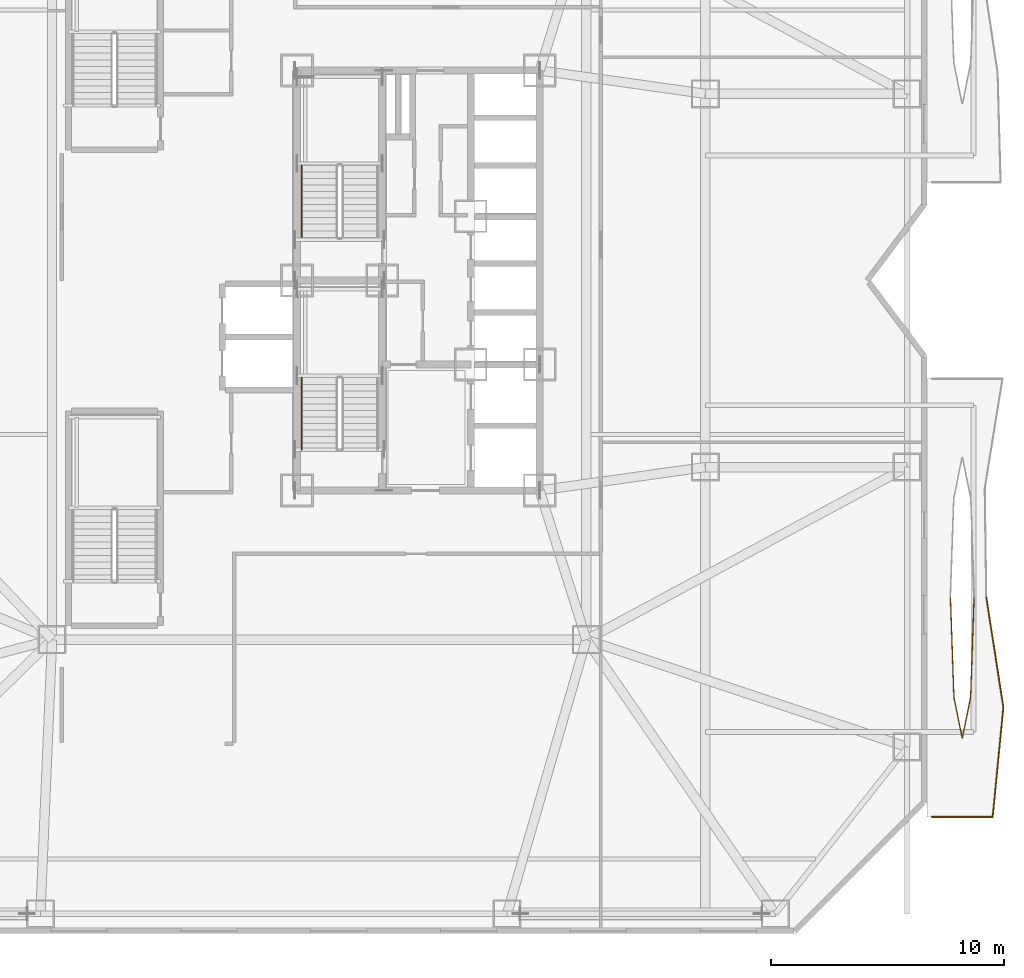
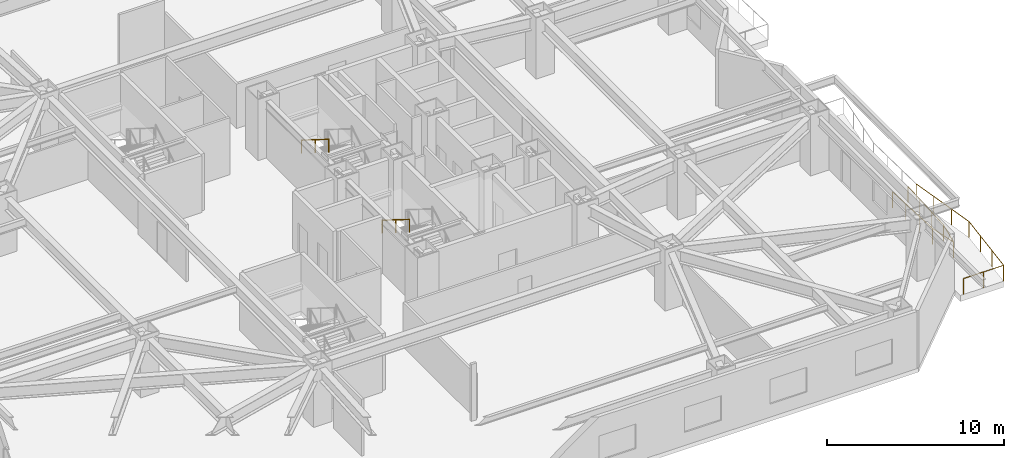
# One storey, part 21 of 25: 4 railings.
"""IFC4 building model written with IfcOpenShell, lengths in metres."""

from ifc_helpers import new_model, si_unit, direction, frame, origin, origin_2d, place, context, subcontext, project, spatial, circle, extrude, material, type_object, element, save


model = new_model("IFC4")

# Units and contexts
model_context = context("Model", 3, precision=1e-05, world=origin(), true_north=direction((0.0, 1.0)))
body_context = subcontext(model_context, "Body", "Model", "MODEL_VIEW")
ifc_project = project(units=[si_unit("LENGTHUNIT", "METRE"), si_unit("AREAUNIT", "SQUARE_METRE"), si_unit("VOLUMEUNIT", "CUBIC_METRE"), si_unit("PLANEANGLEUNIT", "RADIAN"), si_unit("MASSUNIT", "GRAM", prefix="KILO")], contexts=[model_context])

# Site, building, storey
site_placement = place(None, origin())
site = spatial("IfcSite", under=ifc_project, at=site_placement, CompositionType="ELEMENT")
building_placement = place(site_placement, origin())
building = spatial("IfcBuilding", under=site, at=building_placement, Name="Khamvora Tower", CompositionType="ELEMENT")
storey_placement = place(building_placement, frame((0.0, 0.0, 24.60009765625)))
storey = spatial("IfcBuildingStorey", under=building, at=storey_placement, Name="L05", CompositionType="ELEMENT", Elevation=24.60009765625)

# Railings
ifc_material_1 = material(Name="Stainless Steel 316 and Laminated Glass", Category="steel")
railing_type_1 = type_object("IfcRailingType", Name="RAL-GAL-1120", PredefinedType="GUARDRAIL", material=ifc_material_1)
railing_1_placement = place(storey_placement, frame((56.199951171875, 5.0, 0.0)))
element("IfcRailing", 1, at=railing_1_placement, inside=storey, type_object=railing_type_1, Name="L05 lens gallery south perimeter guardrail EL1", PredefinedType="GUARDRAIL", context=body_context, shape_type="SweptSolid", body=[
    extrude(circle(Radius=0.02392578125, at=origin_2d()), frame((0.0, 0.0, 1.09619140625), z_axis=(1.0, 0.0, 0.0), x_axis=(0.0, 1.0, 0.0)), (0.0, 0.0, 1.0), 2.6201171875),
    extrude(circle(Radius=0.02392578125, at=origin_2d()), frame((2.6201171875, 0.0, 1.09619140625), z_axis=(0.097399731226, 0.995245342796, 0.0), x_axis=(-0.995245342796, 0.097399731226, 0.0)), (0.0, 0.0, 1.0), 4.722412109375),
    extrude(circle(Radius=0.02392578125, at=origin_2d()), frame((3.080078125, 4.699951171875, 1.09619140625), z_axis=(-0.15307545832, 0.988214503061, 0.0), x_axis=(-0.988214503061, -0.15307545832, 0.0)), (0.0, 0.0, 1.0), 4.756103515625),
    extrude(circle(Radius=0.02099609375, at=origin_2d()), origin(), (0.0, 0.0, 1.0), 1.072021484375),
    extrude(circle(Radius=0.02099609375, at=origin_2d()), frame((1.31005859375, 0.0, 0.0)), (0.0, 0.0, 1.0), 1.072021484375),
    extrude(circle(Radius=0.02099609375, at=origin_2d()), frame((2.6201171875, 0.0, 0.0)), (0.0, 0.0, 1.0), 1.072021484375),
    extrude(circle(Radius=0.02099609375, at=origin_2d()), frame((2.7734375, 1.566650390625, 0.0)), (0.0, 0.0, 1.0), 1.072021484375),
    extrude(circle(Radius=0.02099609375, at=origin_2d()), frame((2.9267578125, 3.13330078125, 0.0)), (0.0, 0.0, 1.0), 1.072021484375),
    extrude(circle(Radius=0.02099609375, at=origin_2d()), frame((3.080078125, 4.699951171875, 0.0)), (0.0, 0.0, 1.0), 1.072021484375),
    extrude(circle(Radius=0.02099609375, at=origin_2d()), frame((2.83740234375, 6.2666015625, 0.0)), (0.0, 0.0, 1.0), 1.072021484375),
    extrude(circle(Radius=0.02099609375, at=origin_2d()), frame((2.5947265625, 7.833251953125, 0.0)), (0.0, 0.0, 1.0), 1.072021484375),
    extrude(circle(Radius=0.02099609375, at=origin_2d()), frame((2.35205078125, 9.39990234375, 0.0)), (0.0, 0.0, 1.0), 1.072021484375),
])
railing_2_placement = place(storey_placement, frame((57.010986328125, 14.39990234375, 0.0)))
element("IfcRailing", 2, at=railing_2_placement, inside=storey, type_object=railing_type_1, Name="L05 lens gallery void guardrail EL1B", PredefinedType="GUARDRAIL", context=body_context, shape_type="SweptSolid", body=[
    extrude(circle(Radius=0.02392578125, at=origin_2d()), frame((0.0, 0.0, 1.09619140625), z_axis=(0.034758598303, -0.999395737355, 0.0), x_axis=(0.999395737355, 0.034758598303, 0.0)), (0.0, 0.0, 1.0), 4.256591796875),
    extrude(circle(Radius=0.02392578125, at=origin_2d()), frame((0.14794921875, -4.25390625, 1.09619140625), z_axis=(0.198022438185, -0.980197487232, 0.0), x_axis=(0.980197487232, 0.198022438185, 0.0)), (0.0, 0.0, 1.0), 1.797607421875),
    extrude(circle(Radius=0.02392578125, at=origin_2d()), frame((0.50390625, -6.015869140625, 1.09619140625), z_axis=(0.198152924969, 0.98017111686, 0.0), x_axis=(-0.98017111686, 0.198152924969, 0.0)), (0.0, 0.0, 1.0), 1.797607421875),
    extrude(circle(Radius=0.02392578125, at=origin_2d()), frame((0.860107421875, -4.25390625, 1.09619140625), z_axis=(0.034758598303, 0.999395737355, 0.0), x_axis=(-0.999395737355, 0.034758598303, 0.0)), (0.0, 0.0, 1.0), 4.256591796875),
    extrude(circle(Radius=0.02099609375, at=origin_2d()), origin(), (0.0, 0.0, 1.0), 1.072021484375),
    extrude(circle(Radius=0.02099609375, at=origin_2d()), frame((0.04931640625, -1.41796875, 0.0)), (0.0, 0.0, 1.0), 1.072021484375),
    extrude(circle(Radius=0.02099609375, at=origin_2d()), frame((0.0986328125, -2.8359375, 0.0)), (0.0, 0.0, 1.0), 1.072021484375),
    extrude(circle(Radius=0.02099609375, at=origin_2d()), frame((0.14794921875, -4.25390625, 0.0)), (0.0, 0.0, 1.0), 1.072021484375),
    extrude(circle(Radius=0.02099609375, at=origin_2d()), frame((0.50390625, -6.015869140625, 0.0)), (0.0, 0.0, 1.0), 1.072021484375),
    extrude(circle(Radius=0.02099609375, at=origin_2d()), frame((0.860107421875, -4.25390625, 0.0)), (0.0, 0.0, 1.0), 1.072021484375),
    extrude(circle(Radius=0.02099609375, at=origin_2d()), frame((0.909423828125, -2.8359375, 0.0)), (0.0, 0.0, 1.0), 1.072021484375),
    extrude(circle(Radius=0.02099609375, at=origin_2d()), frame((0.958740234375, -1.41796875, 0.0)), (0.0, 0.0, 1.0), 1.072021484375),
    extrude(circle(Radius=0.02099609375, at=origin_2d()), frame((1.008056640625, 0.0, 0.0)), (0.0, 0.0, 1.0), 1.072021484375),
])
ifc_material_2 = material(Name="Brushed Stainless Steel 316", Category="steel")
railing_type_2 = type_object("IfcRailingType", Name="RAL-HDR-920", PredefinedType="HANDRAIL", material=ifc_material_2)
railing_3_placement = place(storey_placement, frame((29.199951171875, 23.830078125, 2.27490234375)))
element("IfcRailing", 3, at=railing_3_placement, inside=storey, type_object=railing_type_2, Name="L05 ST-01 stair handrail 2", PredefinedType="HANDRAIL", context=body_context, shape_type="SweptSolid", body=[
    extrude(circle(Radius=0.02392578125, at=origin_2d()), frame((0.0, 0.0, 0.8759765625), z_axis=(0.0, -0.847998304005, 0.529998940003), x_axis=(1.0, 0.0, 0.0)), (0.0, 0.0, 1.0), 3.632080078125),
    extrude(circle(Radius=0.02099609375, at=origin_2d()), origin(), (0.0, 0.0, 1.0), 0.851806640625),
    extrude(circle(Radius=0.02099609375, at=origin_2d()), frame((0.0, -1.5400390625, 0.96240234375)), (0.0, 0.0, 1.0), 0.851806640625),
    extrude(circle(Radius=0.02099609375, at=origin_2d()), frame((0.0, -3.080078125, 1.925048828125)), (0.0, 0.0, 1.0), 0.851806640625),
])
railing_4_placement = place(storey_placement, frame((29.199951171875, 32.929931640625, 2.27490234375)))
element("IfcRailing", 4, at=railing_4_placement, inside=storey, type_object=railing_type_2, Name="L05 ST-02 stair handrail 2", PredefinedType="HANDRAIL", context=body_context, shape_type="SweptSolid", body=[
    extrude(circle(Radius=0.02392578125, at=origin_2d()), frame((0.0, 0.0, 0.8759765625), z_axis=(0.0, -0.847979421464, 0.530029150871), x_axis=(1.0, 0.0, 0.0)), (0.0, 0.0, 1.0), 3.632080078125),
    extrude(circle(Radius=0.02099609375, at=origin_2d()), origin(), (0.0, 0.0, 1.0), 0.851806640625),
    extrude(circle(Radius=0.02099609375, at=origin_2d()), frame((0.0, -1.5400390625, 0.96240234375)), (0.0, 0.0, 1.0), 0.851806640625),
    extrude(circle(Radius=0.02099609375, at=origin_2d()), frame((0.0, -3.079833984375, 1.925048828125)), (0.0, 0.0, 1.0), 0.851806640625),
])

save(model, "model.ifc")
